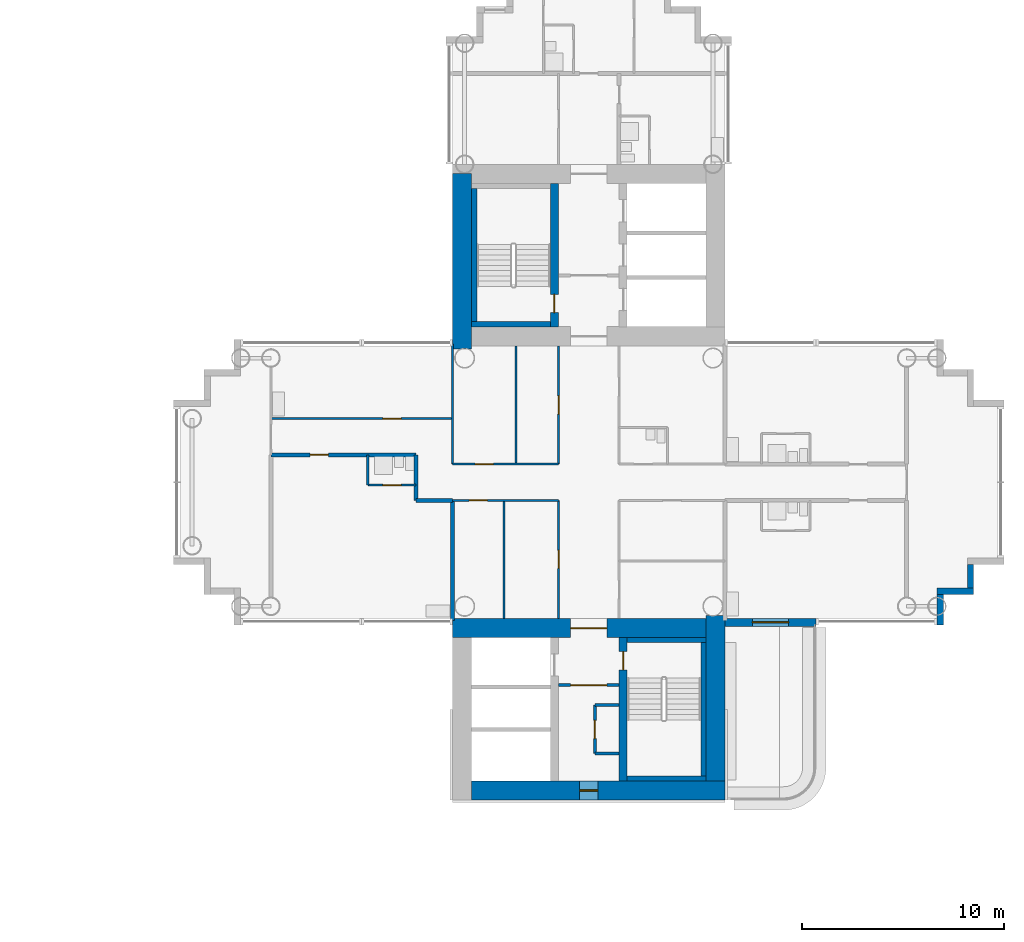
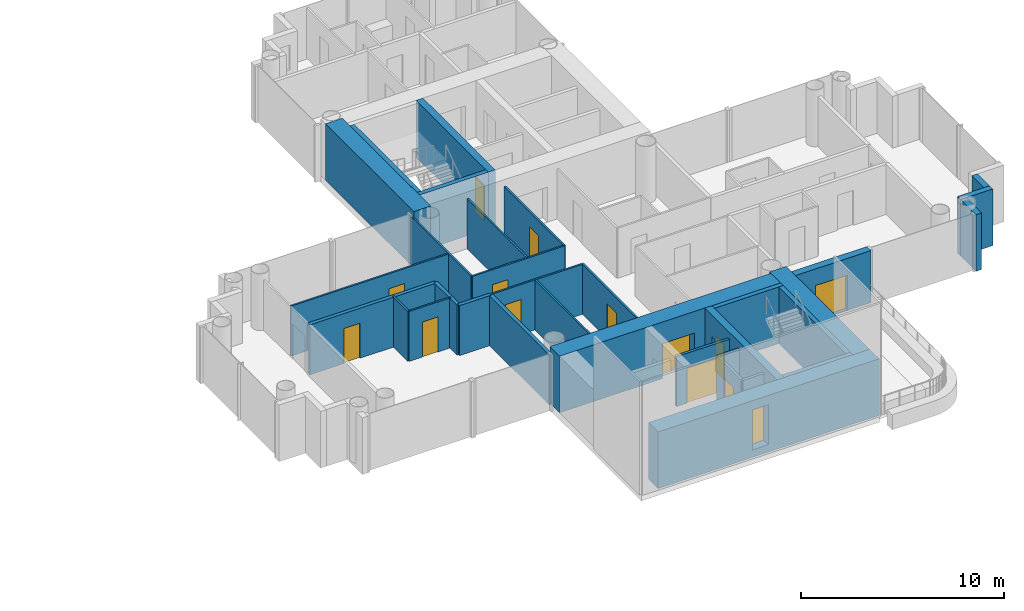
# One storey, part 13 of 22: 33 walls, 13 doors, 1 window, 14 openings.
"""IFC4 building model written with IfcOpenShell, lengths in metres."""

from ifc_helpers import new_model, si_unit, direction, frame, frame_2d, origin, place, context, subcontext, project, spatial, rectangle, extrude, material, layer, layer_set, type_object, element, fill, save


model = new_model("IFC4")

# Units and contexts
model_context = context("Model", 3, precision=1e-05, world=origin(), true_north=direction((0.0, 1.0)))
body_context = subcontext(model_context, "Body", "Model", "MODEL_VIEW")
ifc_project = project(units=[si_unit("LENGTHUNIT", "METRE"), si_unit("AREAUNIT", "SQUARE_METRE"), si_unit("VOLUMEUNIT", "CUBIC_METRE"), si_unit("PLANEANGLEUNIT", "RADIAN"), si_unit("MASSUNIT", "GRAM", prefix="KILO")], contexts=[model_context])

# Site, building, storey
site_placement = place(None, origin())
site = spatial("IfcSite", under=ifc_project, at=site_placement, CompositionType="ELEMENT")
building_placement = place(site_placement, origin())
building = spatial("IfcBuilding", under=site, at=building_placement, Name="Ipe Terrace Towers", CompositionType="ELEMENT")
storey_placement = place(building_placement, frame((0.0, 0.0, 90.199951171875)))
storey = spatial("IfcBuildingStorey", under=building, at=storey_placement, Name="L24", CompositionType="ELEMENT", Elevation=90.199951171875)

# Wall, opening, door
ifc_material_1 = material(Name="Concrete C40/50 with buff precast cladding", Category="concrete")
ifc_layer_1 = layer(ifc_material_1, 0.39990234375)
ifc_layer_set_1 = layer_set([ifc_layer_1], Name="BALCONY BAY WALL 400")
wall_type_1 = type_object("IfcWallType", Name="BALCONY BAY WALL 400", PredefinedType="STANDARD", material=ifc_layer_set_1)
wall_1_placement = place(storey_placement, frame((42.75, -6.949951171875, -0.02001953125), z_axis=(0.0, 0.0, 1.0), x_axis=(1.0, 0.0, 0.0)))
wall_1 = element("IfcWall", 1, at=wall_1_placement, inside=storey, type_object=wall_type_1, Name="T2-W-L24-02a wall", PredefinedType="STANDARD", context=body_context, shape_type="SweptSolid", body=[
    extrude(rectangle(XDim=4.5, YDim=0.39990234375, at=frame_2d((2.25, 0.0))), origin(), (0.0, 0.0, 1.0), 3.1201171875),
])
opening_1_placement = place(wall_1_placement, frame((1.35009765625, 0.0, 0.02001953125)))
opening_1 = element("IfcOpeningElement", 2, at=opening_1_placement, cuts=wall_1, Name="Opening T2-D-L24-02", PredefinedType="OPENING", context=body_context, shape_type="SweptSolid", body=[
    extrude(rectangle(XDim=1.800048828125, YDim=2.10009765625, at=frame_2d((0.89990234375, 1.050048828125))), frame((0.0, 0.2099609375, 0.0), z_axis=(0.0, -1.0, 0.0), x_axis=(1.0, 0.0, 0.0)), (0.0, 0.0, 1.0), 0.419921875),
])
ifc_material_2 = material(Name="Aluminium alloy 6063-T6 framed glazed door", Category="aluminium")
door_type_1 = type_object("IfcDoorType", Name="BALCONY DOOR 1800 x 2100 RIGHT", OperationType="SINGLE_SWING_RIGHT", PredefinedType="DOOR", material=ifc_material_2)
door_1_placement = place(opening_1_placement, origin())
door_1 = element("IfcDoor", 3, at=door_1_placement, inside=storey, type_object=door_type_1, Name="DB2 door", OperationType="SINGLE_SWING_RIGHT", OverallHeight=2.10009765625, OverallWidth=1.800048828125, PredefinedType="DOOR", context=body_context, shape_type="SweptSolid", body=[
    extrude(rectangle(XDim=1.800048828125, YDim=2.10009765625, at=frame_2d((0.89990234375, 1.050048828125))), frame((0.0, 0.02490234375, 0.0), z_axis=(0.0, -1.0, 0.0), x_axis=(1.0, 0.0, 0.0)), (0.0, 0.0, 1.0), 0.050048828125),
])
fill(opening_1, door_1)

# Walls
ifc_material_3 = material(Name="Concrete C40/50 with buff precast cladding", Category="concrete")
ifc_layer_2 = layer(ifc_material_3, 0.320068359375)
ifc_layer_set_2 = layer_set([ifc_layer_2], Name="BUFF CLADDING WALL 320")
wall_type_2 = type_object("IfcWallType", Name="BUFF CLADDING WALL 320", PredefinedType="STANDARD", material=ifc_layer_set_2)
wall_2_placement = place(storey_placement, frame((53.409912109375, -7.070068359375, -0.300048828125), z_axis=(0.0, 0.0, 1.0), x_axis=(0.0, 1.0, 0.0)))
element("IfcWall", 4, at=wall_2_placement, inside=storey, type_object=wall_type_2, Name="T2-W-L24-04a wall", PredefinedType="STANDARD", context=body_context, shape_type="SweptSolid", body=[
    extrude(rectangle(XDim=1.5, YDim=0.320068359375, at=frame_2d((0.75, 0.0))), origin(), (0.0, 0.0, 1.0), 3.400146484375),
])
wall_3_placement = place(storey_placement, frame((53.25, -5.409912109375, -0.300048828125), z_axis=(0.0, 0.0, 1.0), x_axis=(1.0, 0.0, 0.0)))
element("IfcWall", 5, at=wall_3_placement, inside=storey, type_object=wall_type_2, Name="T2-W-L24-05a wall", PredefinedType="STANDARD", context=body_context, shape_type="SweptSolid", body=[
    extrude(rectangle(XDim=1.820068359375, YDim=0.320068359375, at=frame_2d((0.91015625, 0.0))), origin(), (0.0, 0.0, 1.0), 3.400146484375),
])
wall_4_placement = place(storey_placement, frame((54.909912109375, -5.25, -0.300048828125), z_axis=(0.0, 0.0, 1.0), x_axis=(0.0, 1.0, 0.0)))
element("IfcWall", 6, at=wall_4_placement, inside=storey, type_object=wall_type_2, Name="T2-W-L24-06a wall", PredefinedType="STANDARD", context=body_context, shape_type="SweptSolid", body=[
    extrude(rectangle(XDim=1.179931640625, YDim=0.320068359375, at=frame_2d((0.58984375, 0.0))), origin(), (0.0, 0.0, 1.0), 3.400146484375),
])

# Wall, opening, door
ifc_material_4 = material(Name="Gypsum board partition", Category="plasterboard")
ifc_layer_3 = layer(ifc_material_4, 0.10009765625)
ifc_layer_set_3 = layer_set([ifc_layer_3], Name="Gypsum board partition 100 mm")
wall_type_3 = type_object("IfcWallType", Name="Gypsum board partition 100 mm", PredefinedType="PARTITIONING", material=ifc_layer_set_3)
wall_5_placement = place(storey_placement, frame((34.5, -0.89990234375, 0.0), z_axis=(0.0, 0.0, 1.0), x_axis=(-1.0, 0.0, 0.0)))
wall_5 = element("IfcWall", 7, at=wall_5_placement, inside=storey, type_object=wall_type_3, Name="Gypsum board partition T2 L24 W04", PredefinedType="PARTITIONING", context=body_context, shape_type="SweptSolid", body=[
    extrude(rectangle(XDim=5.25, YDim=0.10009765625, at=frame_2d((2.625, 0.0))), origin(), (0.0, 0.0, 1.0), 3.0),
])
opening_2_placement = place(wall_5_placement, frame((3.52490234375, 0.0, 0.0)))
opening_2 = element("IfcOpeningElement", 8, at=opening_2_placement, cuts=wall_5, Name="Opening T2-Z2C-05", PredefinedType="OPENING", context=body_context, shape_type="SweptSolid", body=[
    extrude(rectangle(XDim=0.89990234375, YDim=2.10009765625, at=frame_2d((0.449951171875, 1.050048828125))), frame((0.0, 0.06005859375, 0.0), z_axis=(0.0, -1.0, 0.0), x_axis=(1.0, 0.0, 0.0)), (0.0, 0.0, 1.0), 0.1201171875),
])
ifc_material_5 = material(Name="Timber door leaf", Category="wood")
door_type_2 = type_object("IfcDoorType", Name="Lounge door 900 x 2100", OperationType="NOTDEFINED", PredefinedType="DOOR", material=ifc_material_5)
door_2_placement = place(opening_2_placement, origin())
door_2 = element("IfcDoor", 9, at=door_2_placement, inside=storey, type_object=door_type_2, Name="Lounge door T2-Z2C-05", OperationType="SINGLE_SWING_LEFT", OverallHeight=2.10009765625, OverallWidth=0.89990234375, PredefinedType="DOOR", context=body_context, shape_type="SweptSolid", body=[
    extrude(rectangle(XDim=0.89990234375, YDim=2.10009765625, at=frame_2d((0.449951171875, 1.050048828125))), frame((0.0, 0.02490234375, 0.0), z_axis=(0.0, -1.0, 0.0), x_axis=(1.0, 0.0, 0.0)), (0.0, 0.0, 1.0), 0.050048828125),
])
fill(opening_2, door_2)

wall_6_placement = place(storey_placement, frame((27.449951171875, -0.14990234375, 0.0), z_axis=(0.0, 0.0, 1.0), x_axis=(-1.0, 0.0, 0.0)))
wall_6 = element("IfcWall", 10, at=wall_6_placement, inside=storey, type_object=wall_type_3, Name="Gypsum board partition T2 L24 W07", PredefinedType="PARTITIONING", context=body_context, shape_type="SweptSolid", body=[
    extrude(rectangle(XDim=2.39990234375, YDim=0.10009765625, at=frame_2d((1.199951171875, 0.0))), origin(), (0.0, 0.0, 1.0), 3.0),
])
opening_3_placement = place(wall_6_placement, frame((0.75, 0.0, 0.0)))
opening_3 = element("IfcOpeningElement", 11, at=opening_3_placement, cuts=wall_6, Name="Opening T2-Z2C-10", PredefinedType="OPENING", context=body_context, shape_type="SweptSolid", body=[
    extrude(rectangle(XDim=0.89990234375, YDim=2.10009765625, at=frame_2d((0.449951171875, 1.050048828125))), frame((0.0, 0.06005859375, 0.0), z_axis=(0.0, -1.0, 0.0), x_axis=(1.0, 0.0, 0.0)), (0.0, 0.0, 1.0), 0.1201171875),
])
ifc_material_6 = material(Name="Timber door leaf", Category="wood")
door_type_3 = type_object("IfcDoorType", Name="Bathroom door 900 x 2100", OperationType="NOTDEFINED", PredefinedType="DOOR", material=ifc_material_6)
door_3_placement = place(opening_3_placement, origin())
door_3 = element("IfcDoor", 12, at=door_3_placement, inside=storey, type_object=door_type_3, Name="Bathroom door T2-Z2C-10", OperationType="SINGLE_SWING_RIGHT", OverallHeight=2.10009765625, OverallWidth=0.89990234375, PredefinedType="DOOR", context=body_context, shape_type="SweptSolid", body=[
    extrude(rectangle(XDim=0.89990234375, YDim=2.10009765625, at=frame_2d((0.449951171875, 1.050048828125))), frame((0.0, 0.02490234375, 0.0), z_axis=(0.0, -1.0, 0.0), x_axis=(1.0, 0.0, 0.0)), (0.0, 0.0, 1.0), 0.050048828125),
])
fill(opening_3, door_3)

wall_7_placement = place(storey_placement, frame((34.5, 0.89990234375, 0.0), z_axis=(0.0, 0.0, 1.0), x_axis=(-1.0, 0.0, 0.0)))
wall_7 = element("IfcWall", 13, at=wall_7_placement, inside=storey, type_object=wall_type_3, Name="Gypsum board partition T2 L24 W09", PredefinedType="PARTITIONING", context=body_context, shape_type="SweptSolid", body=[
    extrude(rectangle(XDim=5.25, YDim=0.10009765625, at=frame_2d((2.625, 0.0))), origin(), (0.0, 0.0, 1.0), 3.0),
])
opening_4_placement = place(wall_7_placement, frame((3.22509765625, 0.0, 0.0)))
opening_4 = element("IfcOpeningElement", 14, at=opening_4_placement, cuts=wall_7, Name="Opening T2-Z2C-03", PredefinedType="OPENING", context=body_context, shape_type="SweptSolid", body=[
    extrude(rectangle(XDim=0.89990234375, YDim=2.10009765625, at=frame_2d((0.449951171875, 1.050048828125))), frame((0.0, 0.06005859375, 0.0), z_axis=(0.0, -1.0, 0.0), x_axis=(1.0, 0.0, 0.0)), (0.0, 0.0, 1.0), 0.1201171875),
])
door_4_placement = place(opening_4_placement, origin())
door_4 = element("IfcDoor", 15, at=door_4_placement, inside=storey, type_object=door_type_2, Name="Lounge door T2-Z2C-03", OperationType="SINGLE_SWING_RIGHT", OverallHeight=2.10009765625, OverallWidth=0.89990234375, PredefinedType="DOOR", context=body_context, shape_type="SweptSolid", body=[
    extrude(rectangle(XDim=0.89990234375, YDim=2.10009765625, at=frame_2d((0.449951171875, 1.050048828125))), frame((0.0, 0.02490234375, 0.0), z_axis=(0.0, -1.0, 0.0), x_axis=(1.0, 0.0, 0.0)), (0.0, 0.0, 1.0), 0.050048828125),
])
fill(opening_4, door_4)

wall_8_placement = place(storey_placement, frame((29.25, 3.14990234375, 0.0), z_axis=(0.0, 0.0, 1.0), x_axis=(-1.0, 0.0, 0.0)))
wall_8 = element("IfcWall", 16, at=wall_8_placement, inside=storey, type_object=wall_type_3, Name="Gypsum board partition T2 L24 W14", PredefinedType="PARTITIONING", context=body_context, shape_type="SweptSolid", body=[
    extrude(rectangle(XDim=9.0, YDim=0.10009765625, at=frame_2d((4.5, 0.0))), origin(), (0.0, 0.0, 1.0), 3.0),
])
opening_5_placement = place(wall_8_placement, frame((2.550048828125, 0.0, 0.0)))
opening_5 = element("IfcOpeningElement", 17, at=opening_5_placement, cuts=wall_8, Name="Opening T2-Z2C-11", PredefinedType="OPENING", context=body_context, shape_type="SweptSolid", body=[
    extrude(rectangle(XDim=0.89990234375, YDim=2.10009765625, at=frame_2d((0.449951171875, 1.050048828125))), frame((0.0, 0.06005859375, 0.0), z_axis=(0.0, -1.0, 0.0), x_axis=(1.0, 0.0, 0.0)), (0.0, 0.0, 1.0), 0.1201171875),
])
door_5_placement = place(opening_5_placement, origin())
door_5 = element("IfcDoor", 18, at=door_5_placement, inside=storey, type_object=door_type_2, Name="Lounge door T2-Z2C-11", OperationType="SINGLE_SWING_LEFT", OverallHeight=2.10009765625, OverallWidth=0.89990234375, PredefinedType="DOOR", context=body_context, shape_type="SweptSolid", body=[
    extrude(rectangle(XDim=0.89990234375, YDim=2.10009765625, at=frame_2d((0.449951171875, 1.050048828125))), frame((0.0, 0.02490234375, 0.0), z_axis=(0.0, -1.0, 0.0), x_axis=(1.0, 0.0, 0.0)), (0.0, 0.0, 1.0), 0.050048828125),
])
fill(opening_5, door_5)

wall_9_placement = place(storey_placement, frame((34.5, -6.75, 0.0), z_axis=(0.0, 0.0, 1.0), x_axis=(0.0, 1.0, 0.0)))
wall_9 = element("IfcWall", 19, at=wall_9_placement, inside=storey, type_object=wall_type_3, Name="Gypsum board partition T2 L24 W34", PredefinedType="PARTITIONING", context=body_context, shape_type="SweptSolid", body=[
    extrude(rectangle(XDim=5.85009765625, YDim=0.10009765625, at=frame_2d((2.925048828125, 0.0))), origin(), (0.0, 0.0, 1.0), 3.0),
])
opening_6_placement = place(wall_9_placement, frame((2.47509765625, 0.0, 0.0)))
opening_6 = element("IfcOpeningElement", 20, at=opening_6_placement, cuts=wall_9, Name="Opening T2-Z2C-04", PredefinedType="OPENING", context=body_context, shape_type="SweptSolid", body=[
    extrude(rectangle(XDim=0.89990234375, YDim=2.10009765625, at=frame_2d((0.449951171875, 1.050048828125))), frame((0.0, 0.06005859375, 0.0), z_axis=(0.0, -1.0, 0.0), x_axis=(1.0, 0.0, 0.0)), (0.0, 0.0, 1.0), 0.1201171875),
])
door_6_placement = place(opening_6_placement, origin())
door_6 = element("IfcDoor", 21, at=door_6_placement, inside=storey, type_object=door_type_2, Name="Lounge door T2-Z2C-04", OperationType="SINGLE_SWING_RIGHT", OverallHeight=2.10009765625, OverallWidth=0.89990234375, PredefinedType="DOOR", context=body_context, shape_type="SweptSolid", body=[
    extrude(rectangle(XDim=0.89990234375, YDim=2.10009765625, at=frame_2d((0.449951171875, 1.050048828125))), frame((0.0, 0.02490234375, 0.0), z_axis=(0.0, -1.0, 0.0), x_axis=(1.0, 0.0, 0.0)), (0.0, 0.0, 1.0), 0.050048828125),
])
fill(opening_6, door_6)

wall_10_placement = place(storey_placement, frame((34.5, 0.89990234375, 0.0), z_axis=(0.0, 0.0, 1.0), x_axis=(0.0, 1.0, 0.0)))
wall_10 = element("IfcWall", 22, at=wall_10_placement, inside=storey, type_object=wall_type_3, Name="Gypsum board partition T2 L24 W35", PredefinedType="PARTITIONING", context=body_context, shape_type="SweptSolid", body=[
    extrude(rectangle(XDim=5.85009765625, YDim=0.10009765625, at=frame_2d((2.925048828125, 0.0))), origin(), (0.0, 0.0, 1.0), 3.0),
])
opening_7_placement = place(wall_10_placement, frame((2.47509765625, 0.0, 0.0)))
opening_7 = element("IfcOpeningElement", 23, at=opening_7_placement, cuts=wall_10, Name="Opening T2-Z2C-02", PredefinedType="OPENING", context=body_context, shape_type="SweptSolid", body=[
    extrude(rectangle(XDim=0.89990234375, YDim=2.10009765625, at=frame_2d((0.449951171875, 1.050048828125))), frame((0.0, 0.06005859375, 0.0), z_axis=(0.0, -1.0, 0.0), x_axis=(1.0, 0.0, 0.0)), (0.0, 0.0, 1.0), 0.1201171875),
])
door_7_placement = place(opening_7_placement, origin())
door_7 = element("IfcDoor", 24, at=door_7_placement, inside=storey, type_object=door_type_2, Name="Lounge door T2-Z2C-02", OperationType="SINGLE_SWING_LEFT", OverallHeight=2.10009765625, OverallWidth=0.89990234375, PredefinedType="DOOR", context=body_context, shape_type="SweptSolid", body=[
    extrude(rectangle(XDim=0.89990234375, YDim=2.10009765625, at=frame_2d((0.449951171875, 1.050048828125))), frame((0.0, 0.02490234375, 0.0), z_axis=(0.0, -1.0, 0.0), x_axis=(1.0, 0.0, 0.0)), (0.0, 0.0, 1.0), 0.050048828125),
])
fill(opening_7, door_7)

# Walls
for number, where, z_axis, x_axis, name in (
    (25, (32.39990234375, 0.89990234375, 0.0), (0.0, 0.0, 1.0), (0.0, 1.0, 0.0), "Gypsum board partition T2 L24 W38"),
    (26, (31.800048828125, -6.75, 0.0), (0.0, 0.0, 1.0), (0.0, 1.0, 0.0), "Gypsum board partition T2 L24 W39"),
):
    element("IfcWall", number, at=place(storey_placement, frame(where, z_axis=z_axis, x_axis=x_axis)), inside=storey, type_object=wall_type_3, Name=name, PredefinedType="PARTITIONING", context=body_context, shape_type="SweptSolid", body=[
        extrude(rectangle(XDim=5.85009765625, YDim=0.10009765625, at=frame_2d((2.925048828125, 0.0))), origin(), (0.0, 0.0, 1.0), 3.0),
    ])
wall_11_placement = place(storey_placement, frame((29.25, 0.89990234375, 0.0), z_axis=(0.0, 0.0, 1.0), x_axis=(0.0, 1.0, 0.0)))
element("IfcWall", 27, at=wall_11_placement, inside=storey, type_object=wall_type_3, Name="Gypsum board partition T2 L24 W40", PredefinedType="PARTITIONING", context=body_context, shape_type="SweptSolid", body=[
    extrude(rectangle(XDim=5.9501953125, YDim=0.10009765625, at=frame_2d((2.97509765625, 0.0))), origin(), (0.0, 0.0, 1.0), 3.0),
])
wall_12_placement = place(storey_placement, frame((25.050048828125, -0.14990234375, 0.0), z_axis=(0.0, 0.0, 1.0), x_axis=(0.0, 1.0, 0.0)))
element("IfcWall", 28, at=wall_12_placement, inside=storey, type_object=wall_type_3, Name="Gypsum board partition T2 L24 W43", PredefinedType="PARTITIONING", context=body_context, shape_type="SweptSolid", body=[
    extrude(rectangle(XDim=1.5, YDim=0.10009765625, at=frame_2d((0.75, 0.0))), origin(), (0.0, 0.0, 1.0), 3.0),
])

# Wall, opening, door
ifc_material_7 = material(Name="Gypsum board partition", Category="plasterboard")
ifc_layer_4 = layer(ifc_material_7, 0.14990234375)
ifc_layer_set_4 = layer_set([ifc_layer_4], Name="Gypsum board partition 150 mm")
wall_type_4 = type_object("IfcWallType", Name="Gypsum board partition 150 mm", PredefinedType="PARTITIONING", material=ifc_layer_set_4)
wall_13_placement = place(storey_placement, frame((34.5, -10.050048828125, 0.0), z_axis=(0.0, 0.0, 1.0), x_axis=(1.0, 0.0, 0.0)))
wall_13 = element("IfcWall", 29, at=wall_13_placement, inside=storey, type_object=wall_type_4, Name="Gypsum board partition T2 L24 t2c2-lobby-wall", PredefinedType="PARTITIONING", context=body_context, shape_type="SweptSolid", body=[
    extrude(rectangle(XDim=3.0, YDim=0.14990234375, at=frame_2d((1.5, 0.0))), origin(), (0.0, 0.0, 1.0), 3.0),
])
opening_8_placement = place(wall_13_placement, frame((0.60009765625, 0.0, 0.0)))
opening_8 = element("IfcOpeningElement", 30, at=opening_8_placement, cuts=wall_13, Name="Opening T2C2-VD", PredefinedType="OPENING", context=body_context, shape_type="SweptSolid", body=[
    extrude(rectangle(XDim=1.800048828125, YDim=2.10009765625, at=frame_2d((0.89990234375, 1.050048828125))), frame((0.0, 0.0849609375, 0.0), z_axis=(0.0, -1.0, 0.0), x_axis=(1.0, 0.0, 0.0)), (0.0, 0.0, 1.0), 0.169921875),
])
ifc_material_8 = material(Name="Fire-rated timber door leaf", Category="wood")
door_type_4 = type_object("IfcDoorType", Name="Lobby door 1800 x 2100 FD60", OperationType="NOTDEFINED", PredefinedType="DOOR", material=ifc_material_8)
door_8_placement = place(opening_8_placement, origin())
door_8 = element("IfcDoor", 31, at=door_8_placement, inside=storey, type_object=door_type_4, Name="Lobby door T2C2-VD", OperationType="SINGLE_SWING_LEFT", OverallHeight=2.10009765625, OverallWidth=1.800048828125, PredefinedType="DOOR", context=body_context, shape_type="SweptSolid", body=[
    extrude(rectangle(XDim=1.800048828125, YDim=2.10009765625, at=frame_2d((0.89990234375, 1.050048828125))), frame((0.0, 0.02490234375, 0.0), z_axis=(0.0, -1.0, 0.0), x_axis=(1.0, 0.0, 0.0)), (0.0, 0.0, 1.0), 0.050048828125),
])
fill(opening_8, door_8)

wall_14_placement = place(storey_placement, frame((36.300048828125, -11.050048828125, 0.0), z_axis=(0.0, 0.0, 1.0), x_axis=(0.0, -1.0, 0.0)))
wall_14 = element("IfcWall", 32, at=wall_14_placement, inside=storey, type_object=wall_type_4, Name="Gypsum board partition T2 L24 t2c2-cup-n-f", PredefinedType="PARTITIONING", context=body_context, shape_type="SweptSolid", body=[
    extrude(rectangle(XDim=2.39990234375, YDim=0.14990234375, at=frame_2d((1.199951171875, 0.0))), origin(), (0.0, 0.0, 1.0), 3.0),
])
opening_9_placement = place(wall_14_placement, frame((0.75, 0.0, 0.0)))
opening_9 = element("IfcOpeningElement", 33, at=opening_9_placement, cuts=wall_14, Name="Opening T2C2-SR", PredefinedType="OPENING", context=body_context, shape_type="SweptSolid", body=[
    extrude(rectangle(XDim=0.89990234375, YDim=2.10009765625, at=frame_2d((0.449951171875, 1.050048828125))), frame((0.0, 0.0849609375, 0.0), z_axis=(0.0, -1.0, 0.0), x_axis=(1.0, 0.0, 0.0)), (0.0, 0.0, 1.0), 0.169921875),
])
ifc_material_9 = material(Name="Fire-rated timber door leaf", Category="wood")
door_type_5 = type_object("IfcDoorType", Name="Service door 900 x 2100 FD60", OperationType="NOTDEFINED", PredefinedType="DOOR", material=ifc_material_9)
door_9_placement = place(opening_9_placement, origin())
door_9 = element("IfcDoor", 34, at=door_9_placement, inside=storey, type_object=door_type_5, Name="Service door T2C2-SR", OperationType="SINGLE_SWING_LEFT", OverallHeight=2.10009765625, OverallWidth=0.89990234375, PredefinedType="DOOR", context=body_context, shape_type="SweptSolid", body=[
    extrude(rectangle(XDim=0.89990234375, YDim=2.10009765625, at=frame_2d((0.449951171875, 1.050048828125))), frame((0.0, 0.02490234375, 0.0), z_axis=(0.0, -1.0, 0.0), x_axis=(1.0, 0.0, 0.0)), (0.0, 0.0, 1.0), 0.050048828125),
])
fill(opening_9, door_9)

# Walls
for number, where, z_axis, x_axis, name in (
    (35, (36.300048828125, -11.050048828125, 0.0), (0.0, 0.0, 1.0), (1.0, 0.0, 0.0), "Gypsum board partition T2 L24 t2c2-cup-n-a"),
    (36, (36.300048828125, -13.449951171875, 0.0), (0.0, 0.0, 1.0), (1.0, 0.0, 0.0), "Gypsum board partition T2 L24 t2c2-cup-n-b"),
):
    element("IfcWall", number, at=place(storey_placement, frame(where, z_axis=z_axis, x_axis=x_axis)), inside=storey, type_object=wall_type_4, Name=name, PredefinedType="PARTITIONING", context=body_context, shape_type="SweptSolid", body=[
        extrude(rectangle(XDim=1.199951171875, YDim=0.14990234375, at=frame_2d((0.60009765625, 0.0))), origin(), (0.0, 0.0, 1.0), 3.0),
    ])
ifc_material_10 = material(Name="Gypsum board party wall", Category="plasterboard")
ifc_layer_5 = layer(ifc_material_10, 0.199951171875)
ifc_layer_set_5 = layer_set([ifc_layer_5], Name="Gypsum board party wall 200 mm")
wall_type_5 = type_object("IfcWallType", Name="Gypsum board party wall 200 mm", PredefinedType="SOLIDWALL", material=ifc_layer_set_5)
wall_15_placement = place(storey_placement, frame((29.25, -0.89990234375, 0.0), z_axis=(0.0, 0.0, 1.0), x_axis=(-1.0, 0.0, 0.0)))
element("IfcWall", 37, at=wall_15_placement, inside=storey, type_object=wall_type_5, Name="Gypsum board party wall T2 L24 W06", PredefinedType="SOLIDWALL", context=body_context, shape_type="SweptSolid", body=[
    extrude(rectangle(XDim=1.800048828125, YDim=0.199951171875, at=frame_2d((0.89990234375, 0.0))), origin(), (0.0, 0.0, 1.0), 3.0),
])

# Wall, opening, door
wall_16_placement = place(storey_placement, frame((27.449951171875, 1.35009765625, 0.0), z_axis=(0.0, 0.0, 1.0), x_axis=(-1.0, 0.0, 0.0)))
wall_16 = element("IfcWall", 38, at=wall_16_placement, inside=storey, type_object=wall_type_5, Name="Gypsum board party wall T2 L24 W11", PredefinedType="SOLIDWALL", context=body_context, shape_type="SweptSolid", body=[
    extrude(rectangle(XDim=7.199951171875, YDim=0.199951171875, at=frame_2d((3.60009765625, 0.0))), origin(), (0.0, 0.0, 1.0), 3.0),
])
opening_10_placement = place(wall_16_placement, frame((4.35009765625, 0.0, 0.0)))
opening_10 = element("IfcOpeningElement", 39, at=opening_10_placement, cuts=wall_16, Name="Opening T2-Z2C-09", PredefinedType="OPENING", context=body_context, shape_type="SweptSolid", body=[
    extrude(rectangle(XDim=0.89990234375, YDim=2.10009765625, at=frame_2d((0.449951171875, 1.050048828125))), frame((0.0, 0.10986328125, 0.0), z_axis=(0.0, -1.0, 0.0), x_axis=(1.0, 0.0, 0.0)), (0.0, 0.0, 1.0), 0.219970703125),
])
ifc_material_11 = material(Name="Fire-rated timber door leaf", Category="wood")
door_type_6 = type_object("IfcDoorType", Name="Flat entrance door 900 x 2100 FD30S", OperationType="NOTDEFINED", PredefinedType="DOOR", material=ifc_material_11)
door_10_placement = place(opening_10_placement, origin())
door_10 = element("IfcDoor", 40, at=door_10_placement, inside=storey, type_object=door_type_6, Name="Flat entrance door T2-Z2C-09", OperationType="SINGLE_SWING_LEFT", OverallHeight=2.10009765625, OverallWidth=0.89990234375, PredefinedType="DOOR", context=body_context, shape_type="SweptSolid", body=[
    extrude(rectangle(XDim=0.89990234375, YDim=2.10009765625, at=frame_2d((0.449951171875, 1.050048828125))), frame((0.0, 0.02490234375, 0.0), z_axis=(0.0, -1.0, 0.0), x_axis=(1.0, 0.0, 0.0)), (0.0, 0.0, 1.0), 0.050048828125),
])
fill(opening_10, door_10)

# Walls
wall_17_placement = place(storey_placement, frame((29.25, -6.85009765625, 0.0), z_axis=(0.0, 0.0, 1.0), x_axis=(0.0, 1.0, 0.0)))
element("IfcWall", 41, at=wall_17_placement, inside=storey, type_object=wall_type_5, Name="Gypsum board party wall T2 L24 W41", PredefinedType="SOLIDWALL", context=body_context, shape_type="SweptSolid", body=[
    extrude(rectangle(XDim=5.9501953125, YDim=0.199951171875, at=frame_2d((2.97509765625, 0.0))), origin(), (0.0, 0.0, 1.0), 3.0),
])
wall_18_placement = place(storey_placement, frame((27.449951171875, -0.89990234375, 0.0), z_axis=(0.0, 0.0, 1.0), x_axis=(0.0, 1.0, 0.0)))
element("IfcWall", 42, at=wall_18_placement, inside=storey, type_object=wall_type_5, Name="Gypsum board party wall T2 L24 W42", PredefinedType="SOLIDWALL", context=body_context, shape_type="SweptSolid", body=[
    extrude(rectangle(XDim=2.25, YDim=0.199951171875, at=frame_2d((1.125, 0.0))), origin(), (0.0, 0.0, 1.0), 3.0),
])
ifc_material_12 = material(Name="Concrete C50/60", Category="concrete")
ifc_layer_6 = layer(ifc_material_12, 0.25)
ifc_layer_set_6 = layer_set([ifc_layer_6], Name="RW250 CORE INFILL WALL 250 C50-60")
wall_type_6 = type_object("IfcWallType", Name="RW250 CORE INFILL WALL 250 C50-60", PredefinedType="SHEAR", material=ifc_layer_set_6)
wall_19_placement = place(storey_placement, frame((30.324951171875, 7.949951171875, 0.0), z_axis=(0.0, 0.0, 1.0), x_axis=(0.0, 1.0, 0.0)))
element("IfcWall", 43, at=wall_19_placement, inside=storey, type_object=wall_type_6, Name="Core infill wall T2-C1-back", PredefinedType="SHEAR", context=body_context, shape_type="SweptSolid", body=[
    extrude(rectangle(XDim=6.60009765625, YDim=0.25, at=frame_2d((3.300048828125, 0.0))), origin(), (0.0, 0.0, 1.0), 3.400146484375),
])
for number, where, z_axis, x_axis, name in (
    (44, (34.10009765625, 7.824951171875, 0.0), (0.0, 0.0, 1.0), (-1.0, 0.0, 0.0), "Core infill wall T2-C1-near"),
    (45, (37.89990234375, -14.675048828125, 0.0), (0.0, 0.0, 1.0), (1.0, 0.0, 0.0), "Core infill wall T2-C2-far"),
):
    element("IfcWall", number, at=place(storey_placement, frame(where, z_axis=z_axis, x_axis=x_axis)), inside=storey, type_object=wall_type_6, Name=name, PredefinedType="SHEAR", context=body_context, shape_type="SweptSolid", body=[
        extrude(rectangle(XDim=3.900146484375, YDim=0.25, at=frame_2d((1.9501953125, 0.0))), origin(), (0.0, 0.0, 1.0), 3.400146484375),
    ])
wall_20_placement = place(storey_placement, frame((41.675048828125, -7.949951171875, 0.0), z_axis=(0.0, 0.0, 1.0), x_axis=(0.0, -1.0, 0.0)))
element("IfcWall", 46, at=wall_20_placement, inside=storey, type_object=wall_type_6, Name="Core infill wall T2-C2-back", PredefinedType="SHEAR", context=body_context, shape_type="SweptSolid", body=[
    extrude(rectangle(XDim=6.60009765625, YDim=0.25, at=frame_2d((3.300048828125, 0.0))), origin(), (0.0, 0.0, 1.0), 3.400146484375),
])
wall_21_placement = place(storey_placement, frame((37.89990234375, -7.824951171875, 0.0), z_axis=(0.0, 0.0, 1.0), x_axis=(1.0, 0.0, 0.0)))
element("IfcWall", 47, at=wall_21_placement, inside=storey, type_object=wall_type_6, Name="Core infill wall T2-C2-near", PredefinedType="SHEAR", context=body_context, shape_type="SweptSolid", body=[
    extrude(rectangle(XDim=3.900146484375, YDim=0.25, at=frame_2d((1.9501953125, 0.0))), origin(), (0.0, 0.0, 1.0), 3.400146484375),
])

# Wall, opening, door
ifc_material_13 = material(Name="Concrete C50/60", Category="concrete")
ifc_layer_7 = layer(ifc_material_13, 0.39990234375)
ifc_layer_set_7 = layer_set([ifc_layer_7], Name="RW400 CORE SPINE WALL 400 C50-60")
wall_type_7 = type_object("IfcWallType", Name="RW400 CORE SPINE WALL 400 C50-60", PredefinedType="SHEAR", material=ifc_layer_set_7)
wall_22_placement = place(storey_placement, frame((34.300048828125, 7.699951171875, 0.0), z_axis=(0.0, 0.0, 1.0), x_axis=(0.0, 1.0, 0.0)))
wall_22 = element("IfcWall", 48, at=wall_22_placement, inside=storey, type_object=wall_type_7, Name="Core spine wall T2-C1-Z2-SW1", PredefinedType="SHEAR", context=body_context, shape_type="SweptSolid", body=[
    extrude(rectangle(XDim=7.10009765625, YDim=0.39990234375, at=frame_2d((3.550048828125, 0.0))), origin(), (0.0, 0.0, 1.0), 3.400146484375),
])
opening_11_placement = place(wall_22_placement, frame((0.699951171875, 0.0, 0.0)))
opening_11 = element("IfcOpeningElement", 49, at=opening_11_placement, cuts=wall_22, Name="Opening T2C1-SD", PredefinedType="OPENING", context=body_context, shape_type="SweptSolid", body=[
    extrude(rectangle(XDim=0.89990234375, YDim=2.10009765625, at=frame_2d((0.449951171875, 1.050048828125))), frame((0.0, 0.2099609375, 0.0), z_axis=(0.0, -1.0, 0.0), x_axis=(1.0, 0.0, 0.0)), (0.0, 0.0, 1.0), 0.419921875),
])
ifc_material_14 = material(Name="Fire-rated timber door leaf", Category="wood")
door_type_7 = type_object("IfcDoorType", Name="Stair door 900 x 2100 FD60", OperationType="NOTDEFINED", PredefinedType="DOOR", material=ifc_material_14)
door_11_placement = place(opening_11_placement, origin())
door_11 = element("IfcDoor", 50, at=door_11_placement, inside=storey, type_object=door_type_7, Name="Stair door T2C1-SD", OperationType="SINGLE_SWING_LEFT", OverallHeight=2.10009765625, OverallWidth=0.89990234375, PredefinedType="DOOR", context=body_context, shape_type="SweptSolid", body=[
    extrude(rectangle(XDim=0.89990234375, YDim=2.10009765625, at=frame_2d((0.449951171875, 1.050048828125))), frame((0.0, 0.02490234375, 0.0), z_axis=(0.0, -1.0, 0.0), x_axis=(1.0, 0.0, 0.0)), (0.0, 0.0, 1.0), 0.050048828125),
])
fill(opening_11, door_11)

wall_23_placement = place(storey_placement, frame((37.699951171875, -14.800048828125, 0.0), z_axis=(0.0, 0.0, 1.0), x_axis=(0.0, 1.0, 0.0)))
wall_23 = element("IfcWall", 51, at=wall_23_placement, inside=storey, type_object=wall_type_7, Name="Core spine wall T2-C2-Z2-SW2", PredefinedType="SHEAR", context=body_context, shape_type="SweptSolid", body=[
    extrude(rectangle(XDim=7.10009765625, YDim=0.39990234375, at=frame_2d((3.550048828125, 0.0))), origin(), (0.0, 0.0, 1.0), 3.400146484375),
])
opening_12_placement = place(wall_23_placement, frame((5.5, 0.0, 0.0)))
opening_12 = element("IfcOpeningElement", 52, at=opening_12_placement, cuts=wall_23, Name="Opening T2C2-SD", PredefinedType="OPENING", context=body_context, shape_type="SweptSolid", body=[
    extrude(rectangle(XDim=0.89990234375, YDim=2.10009765625, at=frame_2d((0.449951171875, 1.050048828125))), frame((0.0, 0.2099609375, 0.0), z_axis=(0.0, -1.0, 0.0), x_axis=(1.0, 0.0, 0.0)), (0.0, 0.0, 1.0), 0.419921875),
])
door_12_placement = place(opening_12_placement, origin())
door_12 = element("IfcDoor", 53, at=door_12_placement, inside=storey, type_object=door_type_7, Name="Stair door T2C2-SD", OperationType="SINGLE_SWING_RIGHT", OverallHeight=2.10009765625, OverallWidth=0.89990234375, PredefinedType="DOOR", context=body_context, shape_type="SweptSolid", body=[
    extrude(rectangle(XDim=0.89990234375, YDim=2.10009765625, at=frame_2d((0.449951171875, 1.050048828125))), frame((0.0, 0.02490234375, 0.0), z_axis=(0.0, -1.0, 0.0), x_axis=(1.0, 0.0, 0.0)), (0.0, 0.0, 1.0), 0.050048828125),
])
fill(opening_12, door_12)

# Wall
ifc_material_15 = material(Name="Concrete C50/60", Category="concrete")
ifc_layer_8 = layer(ifc_material_15, 0.949951171875)
ifc_layer_set_8 = layer_set([ifc_layer_8], Name="RW950 CORE WALL 950 C50-60")
wall_type_8 = type_object("IfcWallType", Name="RW950 CORE WALL 950 C50-60", PredefinedType="SHEAR", material=ifc_layer_set_8)
wall_24_placement = place(storey_placement, frame((29.72509765625, 15.298095703125, 0.0), z_axis=(0.0, 0.0, 1.0), x_axis=(0.0, -1.0, 0.0)))
element("IfcWall", 54, at=wall_24_placement, inside=storey, type_object=wall_type_8, Name="Core wall T2-C1-Z2-W04", PredefinedType="SHEAR", context=body_context, shape_type="SweptSolid", body=[
    extrude(rectangle(XDim=8.696044921875, YDim=0.949951171875, at=frame_2d((4.34814453125, 0.0))), origin(), (0.0, 0.0, 1.0), 3.400146484375),
])

# Wall, opening, window
wall_25_placement = place(storey_placement, frame((30.199951171875, -15.27490234375, 0.0), z_axis=(0.0, 0.0, 1.0), x_axis=(1.0, 0.0, 0.0)))
wall_25 = element("IfcWall", 55, at=wall_25_placement, inside=storey, type_object=wall_type_8, Name="Core wall T2-C2-Z2-W01", PredefinedType="SHEAR", context=body_context, shape_type="SweptSolid", body=[
    extrude(rectangle(XDim=12.550048828125, YDim=0.949951171875, at=frame_2d((6.27490234375, 0.0))), origin(), (0.0, 0.0, 1.0), 3.400146484375),
])
opening_13_placement = place(wall_25_placement, frame((5.35009765625, 0.0, 0.449951171875)))
opening_13 = element("IfcOpeningElement", 56, at=opening_13_placement, cuts=wall_25, Name="Opening T2-C2-W-01-L24", PredefinedType="OPENING", context=body_context, shape_type="SweptSolid", body=[
    extrude(rectangle(XDim=0.89990234375, YDim=2.39990234375, at=frame_2d((0.449951171875, 1.199951171875))), frame((0.0, 0.48486328125, 0.0), z_axis=(0.0, -1.0, 0.0), x_axis=(1.0, 0.0, 0.0)), (0.0, 0.0, 1.0), 0.969970703125),
])
ifc_material_16 = material(Name="Fire-resistant glazing EI 60", Category="glass")
window_type = type_object("IfcWindowType", Name="CORRIDOR END SLOT WINDOW 900 x 2400 EI 60", PartitioningType="SINGLE_PANEL", PredefinedType="WINDOW", material=ifc_material_16)
window_placement = place(opening_13_placement, origin())
window = element("IfcWindow", 57, at=window_placement, inside=storey, type_object=window_type, Name="W-01 window", OverallHeight=2.39990234375, OverallWidth=0.89990234375, PartitioningType="SINGLE_PANEL", PredefinedType="WINDOW", context=body_context, shape_type="SweptSolid", body=[
    extrude(rectangle(XDim=0.89990234375, YDim=2.39990234375, at=frame_2d((0.449951171875, 1.199951171875))), frame((0.0, 0.030029296875, 0.0), z_axis=(0.0, -1.0, 0.0), x_axis=(1.0, 0.0, 0.0)), (0.0, 0.0, 1.0), 0.06005859375),
])
fill(opening_13, window)

# Wall
wall_26_placement = place(storey_placement, frame((42.27490234375, -14.800048828125, 0.0), z_axis=(0.0, 0.0, 1.0), x_axis=(0.0, 1.0, 0.0)))
element("IfcWall", 58, at=wall_26_placement, inside=storey, type_object=wall_type_8, Name="Core wall T2-C2-Z2-W02", PredefinedType="SHEAR", context=body_context, shape_type="SweptSolid", body=[
    extrude(rectangle(XDim=8.197998046875, YDim=0.949951171875, at=frame_2d((4.09912109375, 0.0))), origin(), (0.0, 0.0, 1.0), 3.400146484375),
])

# Wall, opening, door
wall_27_placement = place(storey_placement, frame((41.800048828125, -7.22509765625, 0.0), z_axis=(0.0, 0.0, 1.0), x_axis=(-1.0, 0.0, 0.0)))
wall_27 = element("IfcWall", 59, at=wall_27_placement, inside=storey, type_object=wall_type_8, Name="Core wall T2-C2-Z2-W03", PredefinedType="SHEAR", context=body_context, shape_type="SweptSolid", body=[
    extrude(rectangle(XDim=12.550048828125, YDim=0.949951171875, at=frame_2d((6.27490234375, 0.0))), origin(), (0.0, 0.0, 1.0), 3.400146484375),
])
opening_14_placement = place(wall_27_placement, frame((4.89990234375, 0.0, 0.0)))
opening_14 = element("IfcOpeningElement", 60, at=opening_14_placement, cuts=wall_27, Name="Opening T2C2-ND", PredefinedType="OPENING", context=body_context, shape_type="SweptSolid", body=[
    extrude(rectangle(XDim=1.800048828125, YDim=2.10009765625, at=frame_2d((0.89990234375, 1.050048828125))), frame((0.0, 0.48486328125, 0.0), z_axis=(0.0, -1.0, 0.0), x_axis=(1.0, 0.0, 0.0)), (0.0, 0.0, 1.0), 0.969970703125),
])
ifc_material_17 = material(Name="Fire-rated timber door leaf", Category="wood")
door_type_8 = type_object("IfcDoorType", Name="Fire door 1800 x 2100 FD30S", OperationType="NOTDEFINED", PredefinedType="DOOR", material=ifc_material_17)
door_13_placement = place(opening_14_placement, origin())
door_13 = element("IfcDoor", 61, at=door_13_placement, inside=storey, type_object=door_type_8, Name="Fire door T2C2-ND", OperationType="SINGLE_SWING_LEFT", OverallHeight=2.10009765625, OverallWidth=1.800048828125, PredefinedType="DOOR", context=body_context, shape_type="SweptSolid", body=[
    extrude(rectangle(XDim=1.800048828125, YDim=2.10009765625, at=frame_2d((0.89990234375, 1.050048828125))), frame((0.0, 0.02490234375, 0.0), z_axis=(0.0, -1.0, 0.0), x_axis=(1.0, 0.0, 0.0)), (0.0, 0.0, 1.0), 0.050048828125),
])
fill(opening_14, door_13)

save(model, "model.ifc")
